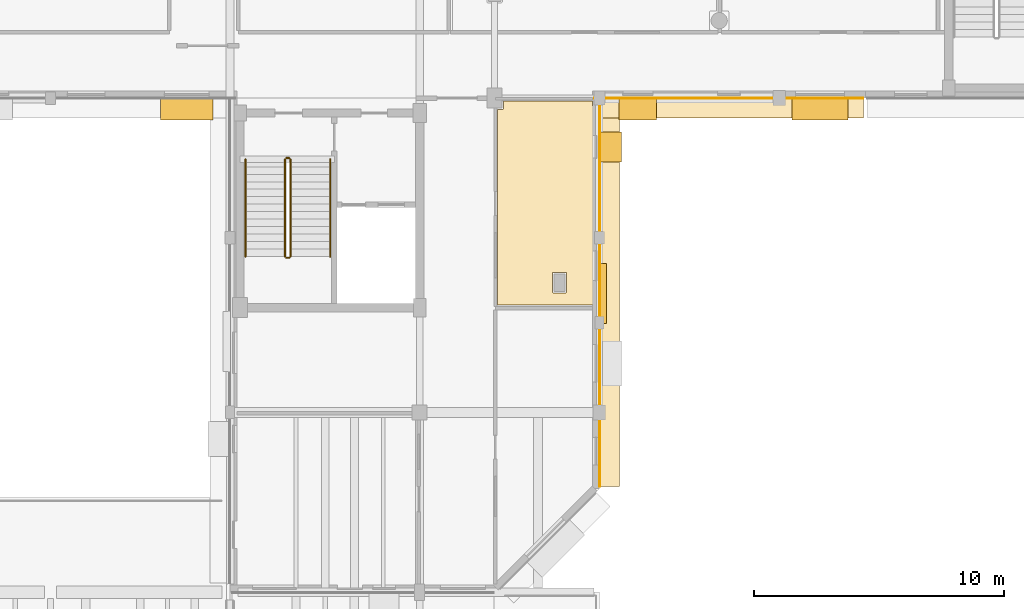
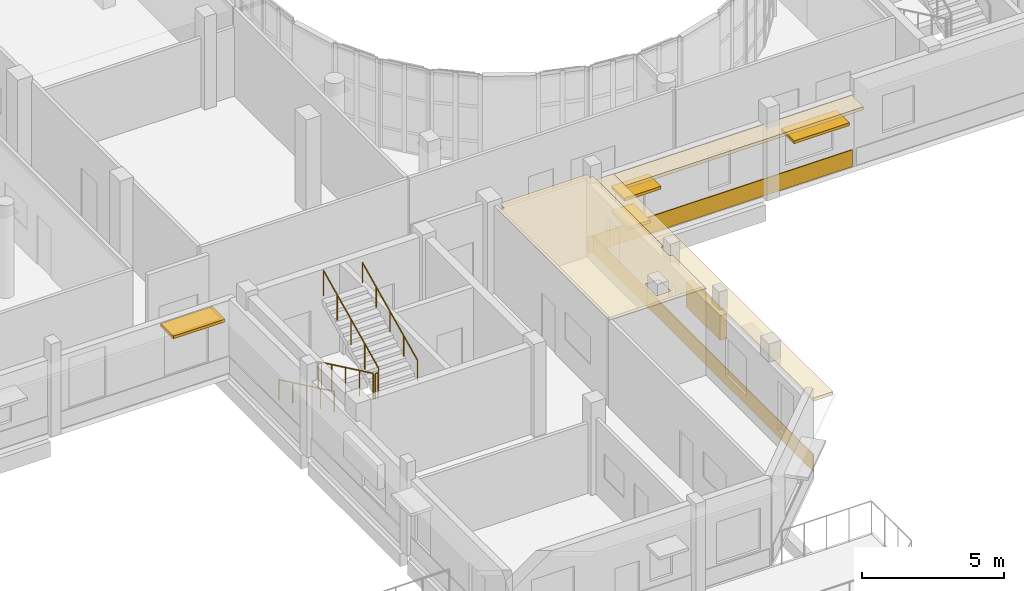
# One storey, part 83 of 92: 6 railings, 5 coverings, 5 shading devices.
"""IFC4 building model written with IfcOpenShell, lengths in metres."""

from ifc_helpers import new_model, si_unit, direction, frame, origin, origin_2d, place, context, subcontext, project, spatial, polyline, rectangle, circle, outline, extrude, material, layer, layer_set, type_object, element, save


model = new_model("IFC4")

# Units and contexts
model_context = context("Model", 3, precision=1e-05, world=origin(), true_north=direction((0.0, 1.0)))
body_context = subcontext(model_context, "Body", "Model", "MODEL_VIEW")
ifc_project = project(units=[si_unit("LENGTHUNIT", "METRE"), si_unit("AREAUNIT", "SQUARE_METRE"), si_unit("VOLUMEUNIT", "CUBIC_METRE"), si_unit("PLANEANGLEUNIT", "RADIAN"), si_unit("MASSUNIT", "GRAM", prefix="KILO")], contexts=[model_context])

# Site, building, storey
site_placement = place(None, origin())
site = spatial("IfcSite", under=ifc_project, at=site_placement, CompositionType="ELEMENT")
building_placement = place(site_placement, origin())
building = spatial("IfcBuilding", under=site, at=building_placement, Name="Kelanivale Promenade Academy", CompositionType="ELEMENT")
storey_placement = place(building_placement, frame((0.0, 0.0, 8.199951171875)))
storey = spatial("IfcBuildingStorey", under=building, at=storey_placement, Name="L02", CompositionType="ELEMENT", Elevation=8.199951171875)

# Coverings
ifc_material_1 = material(Name="Warm ivory Art Deco stucco frieze band 40 mm", Category="masonry")
ifc_layer_1 = layer(ifc_material_1, 0.0400390625)
ifc_layer_set_1 = layer_set([ifc_layer_1], Name="Warm ivory Art Deco stucco frieze band 40 mm")
covering_type_1 = type_object("IfcCoveringType", Name="COV-CLD2 Warm ivory Art Deco stucco frieze ba", PredefinedType="CLADDING", material=ifc_layer_set_1)
covering_1_placement = place(storey_placement, frame((99.18994140625, 41.60009765625, 2.96533203125), z_axis=(0.0, 0.0, 1.0), x_axis=(1.0, 0.0, 0.0)))
element("IfcCovering", 1, at=covering_1_placement, inside=storey, type_object=covering_type_1, Name="Art Deco projecting 820 mm streamline sunshade eyebrow ledge", PredefinedType="CLADDING", context=body_context, shape_type="SweptSolid", body=[
    extrude(rectangle(XDim=10.780029296875, YDim=0.820068359375, at=origin_2d()), origin(), (0.0, 0.0, 1.0), 0.139892578125),
])
covering_2_placement = place(storey_placement, frame((99.18994140625, 41.985107421875, 0.06005859375), z_axis=(0.0, 0.0, 1.0), x_axis=(1.0, 0.0, 0.0)))
element("IfcCovering", 2, at=covering_2_placement, inside=storey, type_object=covering_type_1, Name="Art Deco ivory stucco sill frieze band", PredefinedType="CLADDING", context=body_context, shape_type="SweptSolid", body=[
    extrude(rectangle(XDim=10.780029296875, YDim=0.0400390625, at=origin_2d()), origin(), (0.0, 0.0, 1.0), 0.719970703125),
])
covering_3_placement = place(storey_placement, frame((94.39990234375, 34.173095703125, 3.06494140625), z_axis=(0.0, 0.0, 1.0), x_axis=(0.0, 1.0, 0.0)))
element("IfcCovering", 3, at=covering_3_placement, inside=storey, type_object=covering_type_1, Name="Art Deco projecting 820 mm streamline sunshade eyebrow ledge", PredefinedType="CLADDING", context=body_context, shape_type="SweptSolid", body=[
    extrude(rectangle(XDim=15.493896484375, YDim=0.820068359375, at=origin_2d()), origin(), (0.0, 0.0, 1.0), 0.139892578125),
])
covering_4_placement = place(storey_placement, frame((94.014892578125, 34.173095703125, 0.06005859375), z_axis=(0.0, 0.0, 1.0), x_axis=(0.0, 1.0, 0.0)))
element("IfcCovering", 4, at=covering_4_placement, inside=storey, type_object=covering_type_1, Name="Art Deco ivory stucco sill frieze band", PredefinedType="CLADDING", context=body_context, shape_type="SweptSolid", body=[
    extrude(rectangle(XDim=15.493896484375, YDim=0.0400390625, at=origin_2d()), origin(), (0.0, 0.0, 1.0), 0.719970703125),
])
ifc_material_2 = material(Name="Acoustic mineral-fibre ceiling tile 25 mm", Category="gypsum")
ifc_layer_2 = layer(ifc_material_2, 0.02490234375)
ifc_layer_set_2 = layer_set([ifc_layer_2], Name="Acoustic mineral-fibre ceiling tile 25 mm")
covering_type_2 = type_object("IfcCoveringType", Name="COV-CLG1 Acoustic mineral-fibre ceiling tile ", PredefinedType="CEILING", material=ifc_layer_set_2)
covering_5_placement = place(storey_placement, frame((0.0, 0.0, 3.550048828125)))
element("IfcCovering", 5, at=covering_5_placement, inside=storey, type_object=covering_type_2, Name="Counselling Office acoustic suspended ceiling", PredefinedType="CEILING", context=body_context, shape_type="SweptSolid", body=[
    extrude(outline(polyline([(93.85009765625, 41.6650390625), (93.7548828125, 41.6650390625), (93.7509765625, 41.6650390625), (93.7470703125, 41.666015625), (93.742919921875, 41.6669921875), (93.739990234375, 41.66796875), (93.736083984375, 41.669921875), (93.73291015625, 41.672119140625), (93.72998046875, 41.674072265625), (93.72705078125, 41.677001953125), (93.72412109375, 41.679931640625), (93.721923828125, 41.68310546875), (93.719970703125, 41.68603515625), (93.718017578125, 41.68994140625), (93.717041015625, 41.693115234375), (93.716064453125, 41.697021484375), (93.715087890625, 41.700927734375), (93.715087890625, 41.705078125), (93.715087890625, 41.889892578125), (90.159912109375, 41.889892578125), (90.159912109375, 41.580078125), (90.159912109375, 41.575927734375), (90.158935546875, 41.572021484375), (90.157958984375, 41.568115234375), (90.156982421875, 41.56494140625), (90.155029296875, 41.56103515625), (90.153076171875, 41.55810546875), (90.15087890625, 41.554931640625), (90.14794921875, 41.552001953125), (90.14501953125, 41.549072265625), (90.14208984375, 41.547119140625), (90.138916015625, 41.544921875), (90.135009765625, 41.54296875), (90.132080078125, 41.5419921875), (90.1279296875, 41.541015625), (90.1240234375, 41.5400390625), (90.1201171875, 41.5400390625), (89.909912109375, 41.5400390625), (89.909912109375, 33.7099609375), (93.85009765625, 33.7099609375), (93.85009765625, 36.090087890625), (93.780029296875, 36.090087890625), (93.77587890625, 36.090087890625), (93.77197265625, 36.091064453125), (93.76806640625, 36.092041015625), (93.764892578125, 36.093017578125), (93.760986328125, 36.094970703125), (93.758056640625, 36.096923828125), (93.7548828125, 36.09912109375), (93.751953125, 36.10205078125), (93.7490234375, 36.10498046875), (93.7470703125, 36.10791015625), (93.7451171875, 36.111083984375), (93.742919921875, 36.114990234375), (93.741943359375, 36.117919921875), (93.740966796875, 36.1220703125), (93.739990234375, 36.1259765625), (93.739990234375, 36.1298828125), (93.739990234375, 36.669921875), (93.739990234375, 36.674072265625), (93.740966796875, 36.677978515625), (93.741943359375, 36.681884765625), (93.742919921875, 36.68505859375), (93.7451171875, 36.68896484375), (93.7470703125, 36.69189453125), (93.7490234375, 36.695068359375), (93.751953125, 36.697998046875), (93.7548828125, 36.700927734375), (93.758056640625, 36.702880859375), (93.760986328125, 36.705078125), (93.764892578125, 36.70703125), (93.76806640625, 36.7080078125), (93.77197265625, 36.708984375), (93.77587890625, 36.7099609375), (93.780029296875, 36.7099609375), (93.85009765625, 36.7099609375), (93.85009765625, 41.6650390625)]), holes=[polyline([(92.64501953125, 35.010009765625), (92.64892578125, 35.010009765625), (92.653076171875, 35.009033203125), (92.656982421875, 35.008056640625), (92.659912109375, 35.007080078125), (92.6640625, 35.0048828125), (92.6669921875, 35.0029296875), (92.669921875, 35.0009765625), (92.673095703125, 34.998046875), (92.676025390625, 34.9951171875), (92.677978515625, 34.991943359375), (92.679931640625, 34.989013671875), (92.681884765625, 34.985107421875), (92.68310546875, 34.98193359375), (92.68408203125, 34.97802734375), (92.68505859375, 34.97412109375), (92.68505859375, 34.969970703125), (92.68505859375, 34.22998046875), (92.68505859375, 34.22607421875), (92.68408203125, 34.221923828125), (92.68310546875, 34.218017578125), (92.681884765625, 34.215087890625), (92.679931640625, 34.2109375), (92.677978515625, 34.2080078125), (92.676025390625, 34.205078125), (92.673095703125, 34.201904296875), (92.669921875, 34.198974609375), (92.6669921875, 34.197021484375), (92.6640625, 34.195068359375), (92.659912109375, 34.193115234375), (92.656982421875, 34.19189453125), (92.653076171875, 34.19091796875), (92.64892578125, 34.18994140625), (92.64501953125, 34.18994140625), (92.155029296875, 34.18994140625), (92.15087890625, 34.18994140625), (92.14697265625, 34.19091796875), (92.14306640625, 34.19189453125), (92.139892578125, 34.193115234375), (92.135986328125, 34.195068359375), (92.133056640625, 34.197021484375), (92.1298828125, 34.198974609375), (92.126953125, 34.201904296875), (92.1240234375, 34.205078125), (92.1220703125, 34.2080078125), (92.1201171875, 34.2109375), (92.117919921875, 34.215087890625), (92.116943359375, 34.218017578125), (92.115966796875, 34.221923828125), (92.114990234375, 34.22607421875), (92.114990234375, 34.22998046875), (92.114990234375, 34.969970703125), (92.114990234375, 34.97412109375), (92.115966796875, 34.97802734375), (92.116943359375, 34.98193359375), (92.117919921875, 34.985107421875), (92.1201171875, 34.989013671875), (92.1220703125, 34.991943359375), (92.1240234375, 34.9951171875), (92.126953125, 34.998046875), (92.1298828125, 35.0009765625), (92.133056640625, 35.0029296875), (92.135986328125, 35.0048828125), (92.139892578125, 35.007080078125), (92.14306640625, 35.008056640625), (92.14697265625, 35.009033203125), (92.15087890625, 35.010009765625), (92.155029296875, 35.010009765625), (92.64501953125, 35.010009765625)])]), origin(), (0.0, 0.0, 1.0), 0.02490234375),
])

# Railings
ifc_material_3 = material(Name="Brushed stainless steel grade 316", Category="steel")
railing_type_1 = type_object("IfcRailingType", Name="GR-01 Stair Guard 1100mm", PredefinedType="BALUSTRADE", material=ifc_material_3)
railing_1_placement = place(storey_placement, frame((81.405029296875, 39.544921875, 0.142822265625)))
element("IfcRailing", 6, at=railing_1_placement, inside=storey, type_object=railing_type_1, Name="L02 ST-01 stair guard 1", PredefinedType="BALUSTRADE", context=body_context, shape_type="SweptSolid", body=[
    extrude(circle(Radius=0.02392578125, at=origin_2d()), frame((0.0, 0.0, 1.09619140625), z_axis=(0.0, -0.902853205547, 0.429948937937), x_axis=(1.0, 0.0, 0.0)), (0.0, 0.0, 1.0), 4.319580078125),
    extrude(circle(Radius=0.02099609375, at=origin_2d()), origin(), (0.0, 0.0, 1.0), 1.072021484375),
    extrude(circle(Radius=0.02099609375, at=origin_2d()), frame((0.0, -0.97509765625, 0.46435546875)), (0.0, 0.0, 1.0), 1.072021484375),
    extrude(circle(Radius=0.02099609375, at=origin_2d()), frame((0.0, -1.949951171875, 0.9287109375)), (0.0, 0.0, 1.0), 1.072021484375),
    extrude(circle(Radius=0.02099609375, at=origin_2d()), frame((0.0, -2.9248046875, 1.392822265625)), (0.0, 0.0, 1.0), 1.072021484375),
    extrude(circle(Radius=0.02099609375, at=origin_2d()), frame((0.0, -3.89990234375, 1.857177734375)), (0.0, 0.0, 1.0), 1.072021484375),
])
railing_2_placement = place(storey_placement, frame((81.455078125, 35.594970703125, 2.0)))
element("IfcRailing", 7, at=railing_2_placement, inside=storey, type_object=railing_type_1, Name="L02 ST-01 stair guard 2", PredefinedType="BALUSTRADE", context=body_context, shape_type="SweptSolid", body=[
    extrude(circle(Radius=0.02392578125, at=origin_2d()), frame((0.0, 0.0, 1.09619140625), z_axis=(1.0, 0.0, 0.0), x_axis=(0.0, 1.0, 0.0)), (0.0, 0.0, 1.0), 0.119873046875),
    extrude(circle(Radius=0.02099609375, at=origin_2d()), origin(), (0.0, 0.0, 1.0), 1.072021484375),
    extrude(circle(Radius=0.02099609375, at=origin_2d()), frame((0.119873046875, 0.0, 0.0)), (0.0, 0.0, 1.0), 1.072021484375),
])
railing_3_placement = place(storey_placement, frame((81.625, 35.64501953125, 2.142822265625)))
element("IfcRailing", 8, at=railing_3_placement, inside=storey, type_object=railing_type_1, Name="L02 ST-01 stair guard 3", PredefinedType="BALUSTRADE", context=body_context, shape_type="SweptSolid", body=[
    extrude(circle(Radius=0.02392578125, at=origin_2d()), frame((0.0, 0.0, 1.09619140625), z_axis=(0.0, 0.902853205547, 0.429948937937), x_axis=(-1.0, 0.0, 0.0)), (0.0, 0.0, 1.0), 4.319580078125),
    extrude(circle(Radius=0.02099609375, at=origin_2d()), origin(), (0.0, 0.0, 1.0), 1.072021484375),
    extrude(circle(Radius=0.02099609375, at=origin_2d()), frame((0.0, 0.97509765625, 0.46435546875)), (0.0, 0.0, 1.0), 1.072021484375),
    extrude(circle(Radius=0.02099609375, at=origin_2d()), frame((0.0, 1.949951171875, 0.9287109375)), (0.0, 0.0, 1.0), 1.072021484375),
    extrude(circle(Radius=0.02099609375, at=origin_2d()), frame((0.0, 2.9248046875, 1.392822265625)), (0.0, 0.0, 1.0), 1.072021484375),
    extrude(circle(Radius=0.02099609375, at=origin_2d()), frame((0.0, 3.89990234375, 1.857177734375)), (0.0, 0.0, 1.0), 1.072021484375),
])
railing_4_placement = place(storey_placement, frame((81.455078125, 39.594970703125, 0.0)))
element("IfcRailing", 9, at=railing_4_placement, inside=storey, type_object=railing_type_1, Name="L02 ST-01 stair guard 4", PredefinedType="BALUSTRADE", context=body_context, shape_type="SweptSolid", body=[
    extrude(circle(Radius=0.02392578125, at=origin_2d()), frame((0.0, 0.0, 1.09619140625), z_axis=(1.0, 0.0, 0.0), x_axis=(0.0, 1.0, 0.0)), (0.0, 0.0, 1.0), 0.119873046875),
    extrude(circle(Radius=0.02099609375, at=origin_2d()), origin(), (0.0, 0.0, 1.0), 1.072021484375),
    extrude(circle(Radius=0.02099609375, at=origin_2d()), frame((0.119873046875, 0.0, 0.0)), (0.0, 0.0, 1.0), 1.072021484375),
])
railing_type_2 = type_object("IfcRailingType", Name="HR-01 Pitch Handrail 900mm", PredefinedType="HANDRAIL", material=ifc_material_3)
railing_5_placement = place(storey_placement, frame((79.81494140625, 39.544921875, 0.142822265625)))
element("IfcRailing", 10, at=railing_5_placement, inside=storey, type_object=railing_type_2, Name="L02 ST-01 stair handrail 1", PredefinedType="HANDRAIL", context=body_context, shape_type="SweptSolid", body=[
    extrude(circle(Radius=0.02392578125, at=origin_2d()), frame((0.0, 0.0, 0.8759765625), z_axis=(0.0, -0.902853205547, 0.429948937937), x_axis=(1.0, 0.0, 0.0)), (0.0, 0.0, 1.0), 4.319580078125),
    extrude(circle(Radius=0.02099609375, at=origin_2d()), origin(), (0.0, 0.0, 1.0), 0.851806640625),
    extrude(circle(Radius=0.02099609375, at=origin_2d()), frame((0.0, -0.97509765625, 0.46435546875)), (0.0, 0.0, 1.0), 0.851806640625),
    extrude(circle(Radius=0.02099609375, at=origin_2d()), frame((0.0, -1.949951171875, 0.9287109375)), (0.0, 0.0, 1.0), 0.851806640625),
    extrude(circle(Radius=0.02099609375, at=origin_2d()), frame((0.0, -2.9248046875, 1.392822265625)), (0.0, 0.0, 1.0), 0.851806640625),
    extrude(circle(Radius=0.02099609375, at=origin_2d()), frame((0.0, -3.89990234375, 1.857177734375)), (0.0, 0.0, 1.0), 0.851806640625),
])
railing_6_placement = place(storey_placement, frame((83.215087890625, 35.64501953125, 2.142822265625)))
element("IfcRailing", 11, at=railing_6_placement, inside=storey, type_object=railing_type_2, Name="L02 ST-01 stair handrail 2", PredefinedType="HANDRAIL", context=body_context, shape_type="SweptSolid", body=[
    extrude(circle(Radius=0.02392578125, at=origin_2d()), frame((0.0, 0.0, 0.8759765625), z_axis=(0.0, 0.902853205547, 0.429948937937), x_axis=(-1.0, 0.0, 0.0)), (0.0, 0.0, 1.0), 4.319580078125),
    extrude(circle(Radius=0.02099609375, at=origin_2d()), origin(), (0.0, 0.0, 1.0), 0.851806640625),
    extrude(circle(Radius=0.02099609375, at=origin_2d()), frame((0.0, 0.97509765625, 0.46435546875)), (0.0, 0.0, 1.0), 0.851806640625),
    extrude(circle(Radius=0.02099609375, at=origin_2d()), frame((0.0, 1.949951171875, 0.9287109375)), (0.0, 0.0, 1.0), 0.851806640625),
    extrude(circle(Radius=0.02099609375, at=origin_2d()), frame((0.0, 2.9248046875, 1.392822265625)), (0.0, 0.0, 1.0), 0.851806640625),
    extrude(circle(Radius=0.02099609375, at=origin_2d()), frame((0.0, 3.89990234375, 1.857177734375)), (0.0, 0.0, 1.0), 0.851806640625),
])

# Shading devices
ifc_material_4 = material(Name="Precast concrete C40/50", Category="concrete")
ifc_layer_3 = layer(ifc_material_4, 0.1201171875)
ifc_layer_set_3 = layer_set([ifc_layer_3], Name="Precast concrete C40/50")
shading_device_type_1 = type_object("IfcShadingDeviceType", Name="SHD-01 Art Deco Sunshade Eyebrow 900mm", PredefinedType="USERDEFINED", material=ifc_layer_set_3)
shading_device_1_placement = place(storey_placement, frame((95.54296875, 41.56005859375, 2.510009765625), z_axis=(0.0, 0.0, 1.0), x_axis=(1.0, 0.0, 0.0)))
element("IfcShadingDevice", 12, at=shading_device_1_placement, inside=storey, type_object=shading_device_type_1, Name="Art Deco 900 mm precast chajja window sunshade", ObjectType="SUNSHADE", PredefinedType="USERDEFINED", context=body_context, shape_type="SweptSolid", body=[
    extrude(rectangle(XDim=1.5, YDim=0.89990234375, at=origin_2d()), origin(), (0.0, 0.0, 1.0), 0.1201171875),
])
shading_device_2_placement = place(storey_placement, frame((102.8369140625, 41.56005859375, 2.56005859375), z_axis=(0.0, 0.0, 1.0), x_axis=(1.0, 0.0, 0.0)))
element("IfcShadingDevice", 13, at=shading_device_2_placement, inside=storey, type_object=shading_device_type_1, Name="Art Deco 900 mm precast chajja window sunshade", ObjectType="SUNSHADE", PredefinedType="USERDEFINED", context=body_context, shape_type="SweptSolid", body=[
    extrude(rectangle(XDim=2.25, YDim=0.89990234375, at=origin_2d()), origin(), (0.0, 0.0, 1.0), 0.1201171875),
])
shading_device_3_placement = place(storey_placement, frame((77.465087890625, 41.56005859375, 3.010009765625), z_axis=(0.0, 0.0, 1.0), x_axis=(1.0, 0.0, 0.0)))
element("IfcShadingDevice", 14, at=shading_device_3_placement, inside=storey, type_object=shading_device_type_1, Name="Art Deco 900 mm precast chajja window sunshade", ObjectType="SUNSHADE", PredefinedType="USERDEFINED", context=body_context, shape_type="SweptSolid", body=[
    extrude(rectangle(XDim=2.10009765625, YDim=0.89990234375, at=origin_2d()), origin(), (0.0, 0.0, 1.0), 0.1201171875),
])
shading_device_4_placement = place(storey_placement, frame((94.43994140625, 40.04296875, 2.56005859375), z_axis=(0.0, 0.0, 1.0), x_axis=(0.0, 1.0, 0.0)))
element("IfcShadingDevice", 15, at=shading_device_4_placement, inside=storey, type_object=shading_device_type_1, Name="Art Deco 900 mm precast chajja window sunshade", ObjectType="SUNSHADE", PredefinedType="USERDEFINED", context=body_context, shape_type="SweptSolid", body=[
    extrude(rectangle(XDim=1.199951171875, YDim=0.89990234375, at=origin_2d()), origin(), (0.0, 0.0, 1.0), 0.1201171875),
])
ifc_material_5 = material(Name="Bronze anodised aluminium EN AW-6063 T6", Category="aluminium")
ifc_layer_4 = layer(ifc_material_5, 0.080078125)
ifc_layer_set_4 = layer_set([ifc_layer_4], Name="Bronze anodised aluminium EN AW-6063 T6")
shading_device_type_2 = type_object("IfcShadingDeviceType", Name="SHD-02 Perforated Brise-Soleil Screen", PredefinedType="JALOUSIE", material=ifc_layer_set_4)
shading_device_5_placement = place(storey_placement, frame((94.135009765625, 34.173095703125, 1.72509765625), z_axis=(0.0, 0.0, 1.0), x_axis=(0.0, 1.0, 0.0)))
element("IfcShadingDevice", 16, at=shading_device_5_placement, inside=storey, type_object=shading_device_type_2, Name="Perforated Art Deco brise-soleil louvre screen", PredefinedType="JALOUSIE", context=body_context, shape_type="SweptSolid", body=[
    extrude(rectangle(XDim=2.39990234375, YDim=0.280029296875, at=origin_2d()), origin(), (0.0, 0.0, 1.0), 1.050048828125),
])

save(model, "model.ifc")
